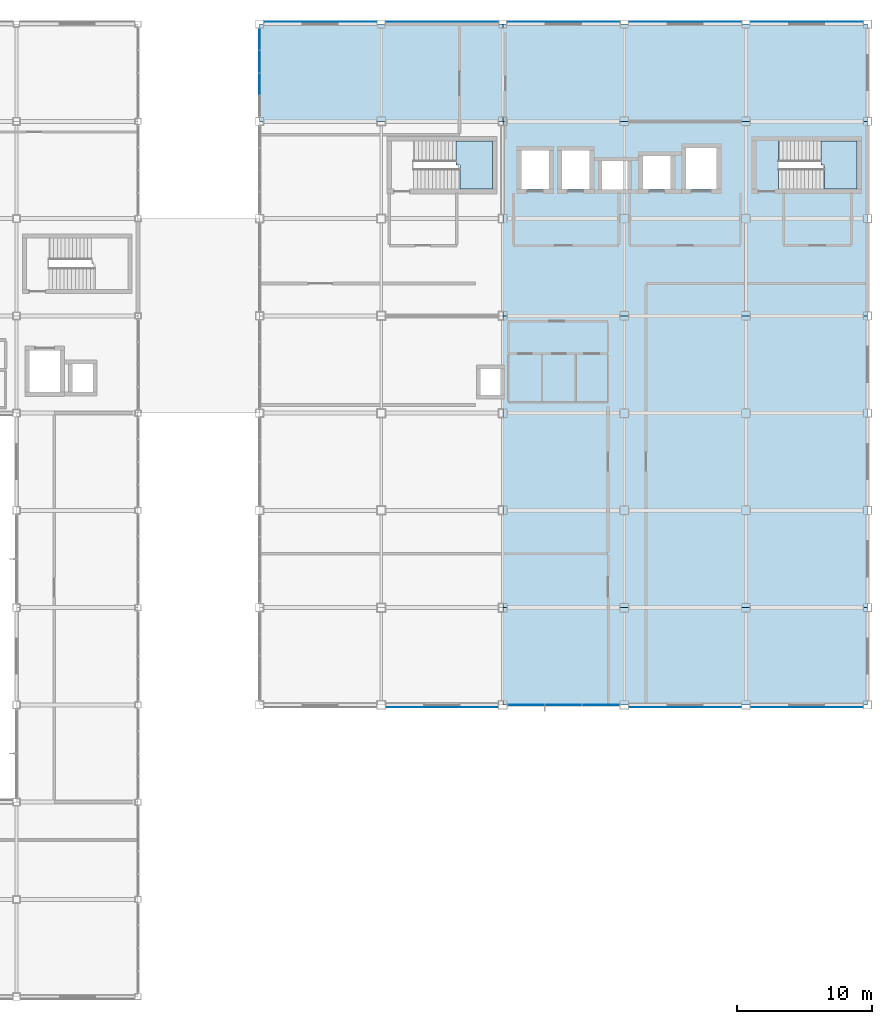
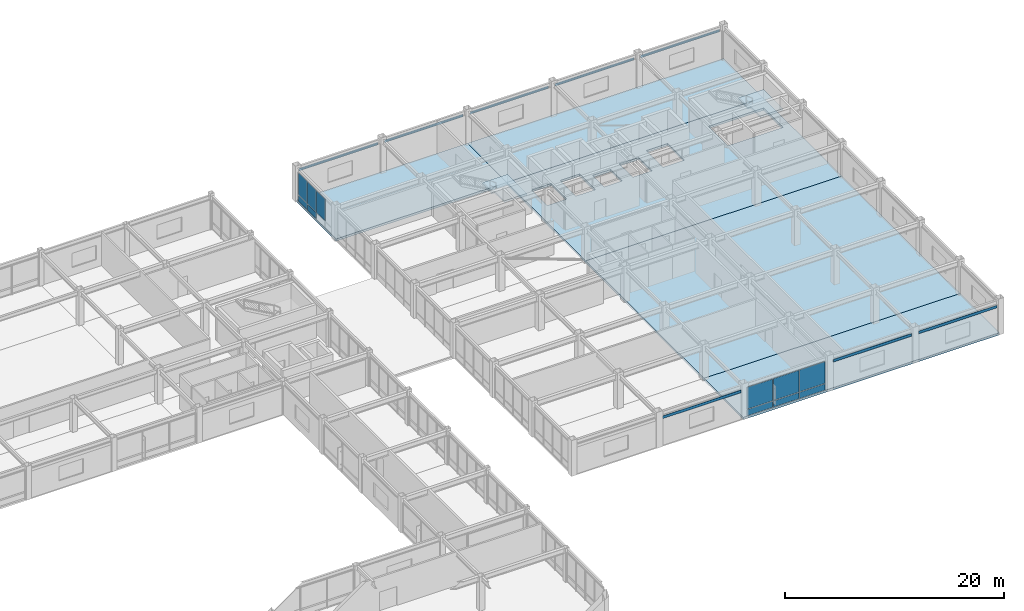
# One storey, part 91 of 113: 19 plates, 7 slabs, 4 elements without a shape of their own.
"""IFC4 building model written with IfcOpenShell, lengths in metres."""

from ifc_helpers import new_model, si_unit, direction, frame, origin, origin_2d, place, context, subcontext, project, spatial, polyline, rectangle, outline, extrude, material, layer, layer_set, type_object, element, aggregate, save


model = new_model("IFC4")

# Units and contexts
model_context = context("Model", 3, precision=1e-05, world=origin(), true_north=direction((0.0, 1.0)))
body_context = subcontext(model_context, "Body", "Model", "MODEL_VIEW")
ifc_project = project(units=[si_unit("LENGTHUNIT", "METRE"), si_unit("AREAUNIT", "SQUARE_METRE"), si_unit("VOLUMEUNIT", "CUBIC_METRE"), si_unit("PLANEANGLEUNIT", "RADIAN"), si_unit("MASSUNIT", "GRAM", prefix="KILO")], contexts=[model_context])

# Site, building, storey
site_placement = place(None, origin())
site = spatial("IfcSite", under=ifc_project, at=site_placement, CompositionType="ELEMENT")
building_placement = place(site_placement, origin())
building = spatial("IfcBuilding", under=site, at=building_placement, Name="Kazanami Central Library", CompositionType="ELEMENT")
storey_placement = place(building_placement, frame((0.0, 0.0, 8.800048828125)))
storey = spatial("IfcBuildingStorey", under=building, at=storey_placement, Name="L03", CompositionType="ELEMENT", Elevation=8.800048828125)

# Curtain wall, plates
ifc_material_1 = material(Name="Acid-Etched Low-E Laminated Glass", Category="glass")
curtain_wall_type_1 = type_object("IfcCurtainWallType", Name="CW-8350x3295-M275", PredefinedType="USERDEFINED", material=ifc_material_1)
curtain_wall_1_placement = place(storey_placement, origin())
curtain_wall_1 = element("IfcCurtainWall", 1, at=curtain_wall_1_placement, inside=storey, type_object=curtain_wall_type_1, Name="Unitised Curtain Wall CW-26 L03 S-G-15", ObjectType="UNITISED CURTAIN WALL", PredefinedType="USERDEFINED")
ifc_layer_1 = layer(ifc_material_1, 0.0439453125, Name="Acid-Etched Low-E Laminated Glass")
ifc_layer_set_1 = layer_set([ifc_layer_1], Name="Acid-Etched Low-E Laminated Glass")
plate_type_1 = type_object("IfcPlateType", Name="PLT-CW-P2", PredefinedType="CURTAIN_PANEL", material=ifc_layer_set_1)
plate_1_placement = place(storey_placement, frame((136.73291015625, 43.199951171875, 0.8125), z_axis=(0.0, 0.0, 1.0), x_axis=(1.0, 0.0, 0.0)))
plate_1 = element("IfcPlate", 2, at=plate_1_placement, type_object=plate_type_1, Name="CW-26 panel 1.2", PredefinedType="CURTAIN_PANEL", context=body_context, shape_type="SweptSolid", body=[
    extrude(rectangle(XDim=2.685791015625, YDim=0.0439453125, at=origin_2d()), origin(), (0.0, 0.0, 1.0), 2.41748046875),
])
plate_2_placement = place(storey_placement, frame((139.5, 43.199951171875, 0.8125), z_axis=(0.0, 0.0, 1.0), x_axis=(1.0, 0.0, 0.0)))
plate_2 = element("IfcPlate", 3, at=plate_2_placement, type_object=plate_type_1, Name="CW-26 panel 2.2", PredefinedType="CURTAIN_PANEL", context=body_context, shape_type="SweptSolid", body=[
    extrude(rectangle(XDim=2.71826171875, YDim=0.0439453125, at=origin_2d()), origin(), (0.0, 0.0, 1.0), 2.41748046875),
])
plate_3_placement = place(storey_placement, frame((142.26708984375, 43.199951171875, 0.8125), z_axis=(0.0, 0.0, 1.0), x_axis=(1.0, 0.0, 0.0)))
plate_3 = element("IfcPlate", 4, at=plate_3_placement, type_object=plate_type_1, Name="CW-26 panel 3.2", PredefinedType="CURTAIN_PANEL", context=body_context, shape_type="SweptSolid", body=[
    extrude(rectangle(XDim=2.685791015625, YDim=0.0439453125, at=origin_2d()), origin(), (0.0, 0.0, 1.0), 2.41748046875),
])

curtain_wall_type_2 = type_object("IfcCurtainWallType", Name="CW-6600x3295-M180", PredefinedType="USERDEFINED", material=ifc_material_1)
curtain_wall_2_placement = place(storey_placement, origin())
curtain_wall_2 = element("IfcCurtainWall", 5, at=curtain_wall_2_placement, inside=storey, type_object=curtain_wall_type_2, Name="Covered Link Bridge Curtain Wall CW-36 L03 W-14-12", ObjectType="UNITISED CURTAIN WALL", PredefinedType="USERDEFINED")
ifc_material_2 = material(Name="Low-E Insulated Triple Glass", Category="glass")
ifc_layer_2 = layer(ifc_material_2, 0.0400390625, Name="Low-E Insulated Triple Glass")
ifc_layer_set_2 = layer_set([ifc_layer_2], Name="Low-E Insulated Triple Glass")
plate_type_2 = type_object("IfcPlateType", Name="PLT-CW-P3", PredefinedType="CURTAIN_PANEL", material=ifc_layer_set_2)
plate_4_placement = place(storey_placement, frame((117.0, 89.175048828125, 0.81005859375), z_axis=(0.0, 0.0, 1.0), x_axis=(0.0, 1.0, 0.0)))
plate_4 = element("IfcPlate", 6, at=plate_4_placement, type_object=plate_type_2, Name="CW-36 panel 2.2", PredefinedType="CURTAIN_PANEL", context=body_context, shape_type="SweptSolid", body=[
    extrude(rectangle(XDim=1.590087890625, YDim=0.0400390625, at=origin_2d()), origin(), (0.0, 0.0, 1.0), 2.425048828125),
])
plate_5_placement = place(storey_placement, frame((117.0, 90.824951171875, 0.81005859375), z_axis=(0.0, 0.0, 1.0), x_axis=(0.0, 1.0, 0.0)))
plate_5 = element("IfcPlate", 7, at=plate_5_placement, type_object=plate_type_2, Name="CW-36 panel 3.2", PredefinedType="CURTAIN_PANEL", context=body_context, shape_type="SweptSolid", body=[
    extrude(rectangle(XDim=1.590087890625, YDim=0.0400390625, at=origin_2d()), origin(), (0.0, 0.0, 1.0), 2.425048828125),
])
plate_6_placement = place(storey_placement, frame((117.0, 92.4599609375, 0.81005859375), z_axis=(0.0, 0.0, 1.0), x_axis=(0.0, 1.0, 0.0)))
plate_6 = element("IfcPlate", 8, at=plate_6_placement, type_object=plate_type_2, Name="CW-36 panel 4.2", PredefinedType="CURTAIN_PANEL", context=body_context, shape_type="SweptSolid", body=[
    extrude(rectangle(XDim=1.56005859375, YDim=0.0400390625, at=origin_2d()), origin(), (0.0, 0.0, 1.0), 2.425048828125),
])

# Plate
ifc_material_3 = material(Name="Anodised Aluminium A5052-H32", Category="aluminium")
ifc_layer_3 = layer(ifc_material_3, 0.052001953125, Name="Anodised Aluminium A5052-H32")
ifc_layer_set_3 = layer_set([ifc_layer_3], Name="Anodised Aluminium A5052-H32")
plate_type_3 = type_object("IfcPlateType", Name="PLT-CW-SP2", PredefinedType="CURTAIN_PANEL", material=ifc_layer_set_3)
plate_7_placement = place(storey_placement, frame((136.73291015625, 43.199951171875, 0.06494140625), z_axis=(0.0, 0.0, 1.0), x_axis=(1.0, 0.0, 0.0)))
plate_7 = element("IfcPlate", 9, at=plate_7_placement, type_object=plate_type_3, Name="CW-26 panel 1.1", PredefinedType="CURTAIN_PANEL", context=body_context, shape_type="SweptSolid", body=[
    extrude(rectangle(XDim=2.685791015625, YDim=0.052001953125, at=origin_2d()), origin(), (0.0, 0.0, 1.0), 0.6826171875),
])

plate_8_placement = place(storey_placement, frame((139.5, 43.199951171875, 0.06494140625), z_axis=(0.0, 0.0, 1.0), x_axis=(1.0, 0.0, 0.0)))
plate_8 = element("IfcPlate", 10, at=plate_8_placement, type_object=plate_type_3, Name="CW-26 panel 2.1", PredefinedType="CURTAIN_PANEL", context=body_context, shape_type="SweptSolid", body=[
    extrude(rectangle(XDim=2.71826171875, YDim=0.052001953125, at=origin_2d()), origin(), (0.0, 0.0, 1.0), 0.6826171875),
])

plate_9_placement = place(storey_placement, frame((142.26708984375, 43.199951171875, 0.06494140625), z_axis=(0.0, 0.0, 1.0), x_axis=(1.0, 0.0, 0.0)))
plate_9 = element("IfcPlate", 11, at=plate_9_placement, type_object=plate_type_3, Name="CW-26 panel 3.1", PredefinedType="CURTAIN_PANEL", context=body_context, shape_type="SweptSolid", body=[
    extrude(rectangle(XDim=2.685791015625, YDim=0.052001953125, at=origin_2d()), origin(), (0.0, 0.0, 1.0), 0.6826171875),
])

aggregate(curtain_wall_1, [plate_7, plate_1, plate_8, plate_2, plate_9, plate_3])

plate_10_placement = place(storey_placement, frame((117.0, 90.824951171875, 0.06005859375), z_axis=(0.0, 0.0, 1.0), x_axis=(0.0, 1.0, 0.0)))
plate_10 = element("IfcPlate", 12, at=plate_10_placement, type_object=plate_type_3, Name="CW-36 panel 3.1", PredefinedType="CURTAIN_PANEL", context=body_context, shape_type="SweptSolid", body=[
    extrude(rectangle(XDim=1.590087890625, YDim=0.052001953125, at=origin_2d()), origin(), (0.0, 0.0, 1.0), 0.68994140625),
])

plate_11_placement = place(storey_placement, frame((117.0, 92.4599609375, 0.06005859375), z_axis=(0.0, 0.0, 1.0), x_axis=(0.0, 1.0, 0.0)))
plate_11 = element("IfcPlate", 13, at=plate_11_placement, type_object=plate_type_3, Name="CW-36 panel 4.1", PredefinedType="CURTAIN_PANEL", context=body_context, shape_type="SweptSolid", body=[
    extrude(rectangle(XDim=1.56005859375, YDim=0.052001953125, at=origin_2d()), origin(), (0.0, 0.0, 1.0), 0.68994140625),
])

aggregate(curtain_wall_2, [plate_4, plate_10, plate_5, plate_11, plate_6])

# Plates
ifc_layer_4 = layer(ifc_material_3, 0.010009765625, Name="Anodised Aluminium A5052-H32")
ifc_layer_set_4 = layer_set([ifc_layer_4], Name="Anodised Aluminium A5052-H32")
plate_type_4 = type_object("IfcPlateType", Name="PLT-SPN-10", PredefinedType="SHEET", material=ifc_layer_set_4)
plate_12_placement = place(storey_placement, frame((139.5, 93.764892578125, 2.98486328125), z_axis=(0.0, 0.0, 1.0), x_axis=(-1.0, 0.0, 0.0)))
element("IfcPlate", 14, at=plate_12_placement, inside=storey, type_object=plate_type_4, Name="Architectural Spandrel Sheet SPN-10 L03 N-O-15", PredefinedType="SHEET", context=body_context, shape_type="SweptSolid", body=[
    extrude(rectangle(XDim=8.300048828125, YDim=0.010009765625, at=origin_2d()), origin(), (0.0, 0.0, 1.0), 0.300048828125),
])
ifc_layer_5 = layer(ifc_material_3, 0.011962890625, Name="Anodised Aluminium A5052-H32")
ifc_layer_set_5 = layer_set([ifc_layer_5], Name="Anodised Aluminium A5052-H32")
plate_type_5 = type_object("IfcPlateType", Name="PLT-SPN-12", PredefinedType="SHEET", material=ifc_layer_set_5)
plate_13_placement = place(storey_placement, frame((148.5, 43.033935546875, 2.98486328125), z_axis=(0.0, 0.0, 1.0), x_axis=(1.0, 0.0, 0.0)))
element("IfcPlate", 15, at=plate_13_placement, inside=storey, type_object=plate_type_5, Name="Architectural Spandrel Sheet SPN-12 L03 S-G-16", PredefinedType="SHEET", context=body_context, shape_type="SweptSolid", body=[
    extrude(rectangle(XDim=8.25, YDim=0.011962890625, at=origin_2d()), origin(), (0.0, 0.0, 1.0), 0.300048828125),
])
plate_14_placement = place(storey_placement, frame((148.5, 93.76611328125, 2.98486328125), z_axis=(0.0, 0.0, 1.0), x_axis=(-1.0, 0.0, 0.0)))
element("IfcPlate", 16, at=plate_14_placement, inside=storey, type_object=plate_type_5, Name="Architectural Spandrel Sheet SPN-12 L03 N-O-16", PredefinedType="SHEET", context=body_context, shape_type="SweptSolid", body=[
    extrude(rectangle(XDim=8.300048828125, YDim=0.011962890625, at=origin_2d()), origin(), (0.0, 0.0, 1.0), 0.300048828125),
])
ifc_layer_6 = layer(ifc_material_3, 0.013916015625, Name="Anodised Aluminium A5052-H32")
ifc_layer_set_6 = layer_set([ifc_layer_6], Name="Anodised Aluminium A5052-H32")
plate_type_6 = type_object("IfcPlateType", Name="PLT-SPN-14", PredefinedType="SHEET", material=ifc_layer_set_6)
plate_15_placement = place(storey_placement, frame((157.512451171875, 43.032958984375, 2.98486328125), z_axis=(0.0, 0.0, 1.0), x_axis=(1.0, 0.0, 0.0)))
element("IfcPlate", 17, at=plate_15_placement, inside=storey, type_object=plate_type_6, Name="Architectural Spandrel Sheet SPN-14 L03 S-G-17", PredefinedType="SHEET", context=body_context, shape_type="SweptSolid", body=[
    extrude(rectangle(XDim=8.27490234375, YDim=0.013916015625, at=origin_2d()), origin(), (0.0, 0.0, 1.0), 0.300048828125),
])
plate_16_placement = place(storey_placement, frame((157.5, 93.76708984375, 2.98486328125), z_axis=(0.0, 0.0, 1.0), x_axis=(-1.0, 0.0, 0.0)))
element("IfcPlate", 18, at=plate_16_placement, inside=storey, type_object=plate_type_6, Name="Architectural Spandrel Sheet SPN-14 L03 N-O-17", PredefinedType="SHEET", context=body_context, shape_type="SweptSolid", body=[
    extrude(rectangle(XDim=8.300048828125, YDim=0.013916015625, at=origin_2d()), origin(), (0.0, 0.0, 1.0), 0.300048828125),
])
ifc_layer_7 = layer(ifc_material_3, 0.01806640625, Name="Anodised Aluminium A5052-H32")
ifc_layer_set_7 = layer_set([ifc_layer_7], Name="Anodised Aluminium A5052-H32")
plate_type_7 = type_object("IfcPlateType", Name="PLT-SPN-18", PredefinedType="SHEET", material=ifc_layer_set_7)
plate_17_placement = place(storey_placement, frame((121.5, 93.76904296875, 2.98486328125), z_axis=(0.0, 0.0, 1.0), x_axis=(-1.0, 0.0, 0.0)))
element("IfcPlate", 19, at=plate_17_placement, inside=storey, type_object=plate_type_7, Name="Architectural Spandrel Sheet SPN-18 L03 N-O-13", PredefinedType="SHEET", context=body_context, shape_type="SweptSolid", body=[
    extrude(rectangle(XDim=8.300048828125, YDim=0.01806640625, at=origin_2d()), origin(), (0.0, 0.0, 1.0), 0.300048828125),
])
ifc_layer_8 = layer(ifc_material_3, 0.02001953125, Name="Anodised Aluminium A5052-H32")
ifc_layer_set_8 = layer_set([ifc_layer_8], Name="Anodised Aluminium A5052-H32")
plate_type_8 = type_object("IfcPlateType", Name="PLT-SPN-20", PredefinedType="SHEET", material=ifc_layer_set_8)
plate_18_placement = place(storey_placement, frame((130.5, 43.030029296875, 2.98486328125), z_axis=(0.0, 0.0, 1.0), x_axis=(1.0, 0.0, 0.0)))
element("IfcPlate", 20, at=plate_18_placement, inside=storey, type_object=plate_type_8, Name="Architectural Spandrel Sheet SPN-20 L03 S-G-14", PredefinedType="SHEET", context=body_context, shape_type="SweptSolid", body=[
    extrude(rectangle(XDim=8.25, YDim=0.02001953125, at=origin_2d()), origin(), (0.0, 0.0, 1.0), 0.300048828125),
])
plate_19_placement = place(storey_placement, frame((130.5, 93.77001953125, 2.98486328125), z_axis=(0.0, 0.0, 1.0), x_axis=(-1.0, 0.0, 0.0)))
element("IfcPlate", 21, at=plate_19_placement, inside=storey, type_object=plate_type_8, Name="Architectural Spandrel Sheet SPN-20 L03 N-O-14", PredefinedType="SHEET", context=body_context, shape_type="SweptSolid", body=[
    extrude(rectangle(XDim=8.300048828125, YDim=0.02001953125, at=origin_2d()), origin(), (0.0, 0.0, 1.0), 0.300048828125),
])

# Slabs
ifc_material_4 = material(Name="Concrete Fc36 (36 MPa)", Category="concrete")
ifc_layer_9 = layer(ifc_material_4, 0.2451171875, Name="Concrete Fc36 (36 MPa)")
ifc_layer_set_9 = layer_set([ifc_layer_9], Name="Concrete Fc36 (36 MPa)")
slab_type_1 = type_object("IfcSlabType", Name="SLB-FLR-245", PredefinedType="FLOOR", material=ifc_layer_set_9)
slab_1_placement = place(storey_placement, frame((0.0, 0.0, -0.2451171875)))
element("IfcSlab", 22, at=slab_1_placement, inside=storey, type_object=slab_type_1, Name="Composite Floor Slab L03 V2-MAIN Zone 30", PredefinedType="FLOOR", context=body_context, shape_type="SweptSolid", body=[
    extrude(outline(polyline([(117.0, 86.39990234375), (135.0, 86.39990234375), (135.0, 93.60009765625), (117.0, 93.60009765625), (117.0, 86.39990234375)])), origin(), (0.0, 0.0, 1.0), 0.2451171875),
])
slab_2_placement = place(storey_placement, frame((0.0, 0.0, -0.2451171875)))
element("IfcSlab", 23, at=slab_2_placement, inside=storey, type_object=slab_type_1, Name="Composite Floor Slab L03 V2-MAIN Zone 31", PredefinedType="FLOOR", context=body_context, shape_type="SweptSolid", body=[
    extrude(outline(polyline([(135.0, 43.199951171875), (162.0, 43.199951171875), (162.0, 50.39990234375), (135.0, 50.39990234375), (135.0, 43.199951171875)])), origin(), (0.0, 0.0, 1.0), 0.2451171875),
])
slab_3_placement = place(storey_placement, frame((0.0, 0.0, -0.2451171875)))
element("IfcSlab", 24, at=slab_3_placement, inside=storey, type_object=slab_type_1, Name="Composite Floor Slab L03 V2-MAIN Zone 32", PredefinedType="FLOOR", context=body_context, shape_type="SweptSolid", body=[
    extrude(outline(polyline([(135.0, 50.39990234375), (162.0, 50.39990234375), (162.0, 72.0), (135.0, 72.0), (135.0, 50.39990234375)])), origin(), (0.0, 0.0, 1.0), 0.2451171875),
])
slab_4_placement = place(storey_placement, frame((0.0, 0.0, -0.2451171875)))
element("IfcSlab", 25, at=slab_4_placement, inside=storey, type_object=slab_type_1, Name="Composite Floor Slab L03 V2-MAIN Zone 33", PredefinedType="FLOOR", context=body_context, shape_type="SweptSolid", body=[
    extrude(outline(polyline([(135.0, 72.0), (162.0, 72.0), (162.0, 86.39990234375), (135.0, 86.39990234375), (135.0, 72.0)]), holes=[polyline([(155.39990234375, 81.375), (161.22509765625, 81.375), (161.22509765625, 84.925048828125), (155.39990234375, 84.925048828125), (155.39990234375, 81.375)]), polyline([(136.375, 81.375), (138.425048828125, 81.375), (138.425048828125, 84.22509765625), (136.375, 84.22509765625), (136.375, 81.375)]), polyline([(139.375, 81.375), (141.425048828125, 81.375), (141.425048828125, 84.22509765625), (139.375, 84.22509765625), (139.375, 81.375)]), polyline([(145.375, 81.375), (147.425048828125, 81.375), (147.425048828125, 83.824951171875), (145.375, 83.824951171875), (145.375, 81.375)]), polyline([(148.574951171875, 81.375), (150.824951171875, 81.375), (150.824951171875, 84.425048828125), (148.574951171875, 84.425048828125), (148.574951171875, 81.375)]), polyline([(142.35009765625, 81.35009765625), (144.25, 81.35009765625), (144.25, 83.449951171875), (142.35009765625, 83.449951171875), (142.35009765625, 81.35009765625)])]), origin(), (0.0, 0.0, 1.0), 0.2451171875),
])
slab_5_placement = place(storey_placement, frame((0.0, 0.0, -0.2451171875)))
element("IfcSlab", 26, at=slab_5_placement, inside=storey, type_object=slab_type_1, Name="Composite Floor Slab L03 V2-MAIN Zone 34", PredefinedType="FLOOR", context=body_context, shape_type="SweptSolid", body=[
    extrude(outline(polyline([(135.0, 86.39990234375), (162.0, 86.39990234375), (162.0, 93.60009765625), (135.0, 93.60009765625), (135.0, 86.39990234375)])), origin(), (0.0, 0.0, 1.0), 0.2451171875),
])

# Stair, slab
stair_type = type_object("IfcStairType", Name="STR-T40", PredefinedType="HALF_TURN_STAIR", material=ifc_material_4)
stair_1_placement = place(storey_placement, origin())
stair_1 = element("IfcStair", 27, at=stair_1_placement, inside=storey, type_object=stair_type, Name="Enclosed Escape Stair ST-01 (L03)", PredefinedType="HALF_TURN_STAIR")
ifc_layer_10 = layer(ifc_material_4, 0.179931640625, Name="Concrete Fc36 (36 MPa)")
ifc_layer_set_10 = layer_set([ifc_layer_10], Name="Concrete Fc36 (36 MPa)")
slab_type_2 = type_object("IfcSlabType", Name="SLB-LND-180", PredefinedType="LANDING", material=ifc_layer_set_10)
slab_6_placement = place(storey_placement, frame((0.0, 0.0, 1.89990234375)))
slab_6 = element("IfcSlab", 28, at=slab_6_placement, type_object=slab_type_2, Name="ST-01 landing 1", PredefinedType="LANDING", context=body_context, shape_type="SweptSolid", body=[
    extrude(outline(polyline([(131.827880859375, 81.375), (134.22509765625, 81.375), (134.22509765625, 84.925048828125), (131.548095703125, 84.925048828125), (131.548095703125, 83.14990234375), (131.827880859375, 83.14990234375), (131.827880859375, 81.375)])), origin(), (0.0, 0.0, 1.0), 0.179931640625),
])
aggregate(stair_1, [slab_6])

stair_2_placement = place(storey_placement, origin())
stair_2 = element("IfcStair", 29, at=stair_2_placement, inside=storey, type_object=stair_type, Name="Enclosed Escape Stair ST-02 (L03)", PredefinedType="HALF_TURN_STAIR")
slab_7_placement = place(storey_placement, frame((0.0, 0.0, 1.89990234375)))
slab_7 = element("IfcSlab", 30, at=slab_7_placement, type_object=slab_type_2, Name="ST-02 landing 1", PredefinedType="LANDING", context=body_context, shape_type="SweptSolid", body=[
    extrude(outline(polyline([(158.827880859375, 81.375), (161.22509765625, 81.375), (161.22509765625, 84.925048828125), (158.548095703125, 84.925048828125), (158.548095703125, 83.14990234375), (158.827880859375, 83.14990234375), (158.827880859375, 81.375)])), origin(), (0.0, 0.0, 1.0), 0.179931640625),
])
aggregate(stair_2, [slab_7])

save(model, "model.ifc")
